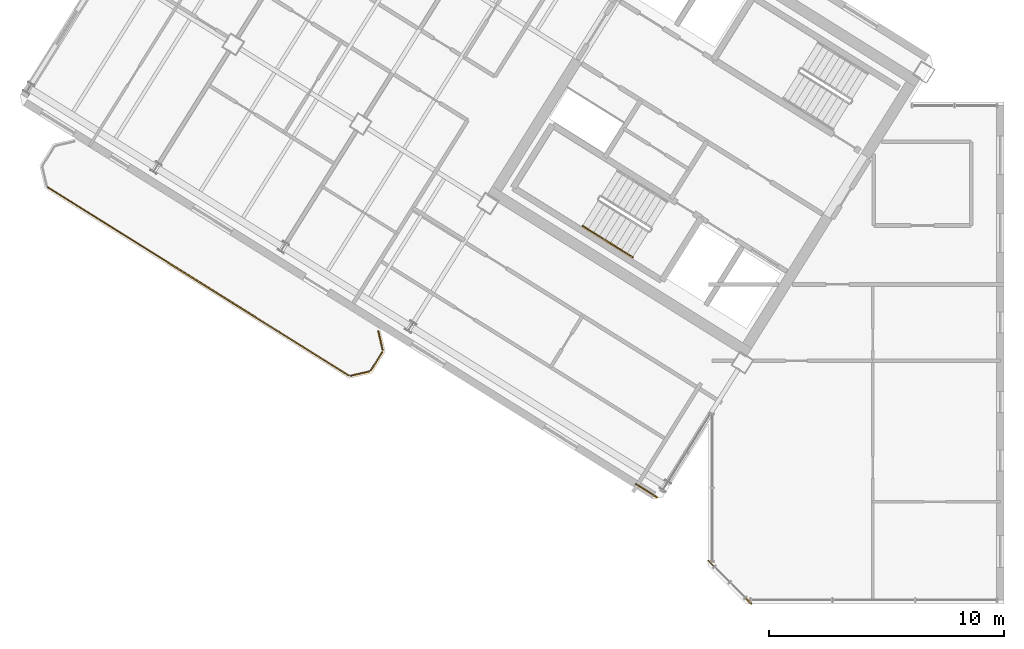
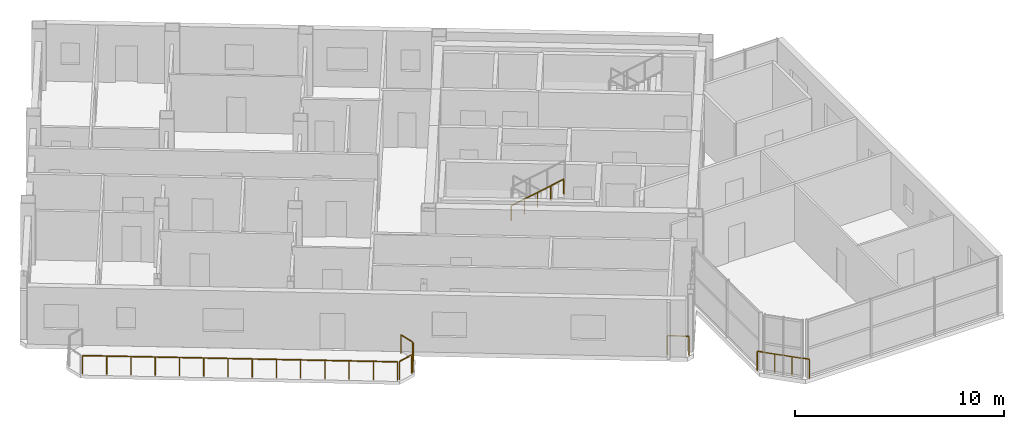
# One storey, part 12 of 14: 8 railings.
"""IFC4 building model written with IfcOpenShell, lengths in metres."""

from ifc_helpers import new_model, si_unit, direction, frame, origin, origin_2d, place, context, subcontext, project, spatial, rectangle, extrude, source, transform, mapped, material, type_object, element, save


model = new_model("IFC4")

# Units and contexts
model_context = context("Model", 3, precision=1e-05, world=origin(), true_north=direction((0.0, 1.0)))
body_context = subcontext(model_context, "Body", "Model", "MODEL_VIEW")
ifc_project = project(units=[si_unit("LENGTHUNIT", "METRE"), si_unit("AREAUNIT", "SQUARE_METRE"), si_unit("VOLUMEUNIT", "CUBIC_METRE"), si_unit("PLANEANGLEUNIT", "RADIAN"), si_unit("MASSUNIT", "GRAM", prefix="KILO")], contexts=[model_context])

# Site, building, storey
site_placement = place(None, origin())
site = spatial("IfcSite", under=ifc_project, at=site_placement, CompositionType="ELEMENT")
building_placement = place(site_placement, origin())
building = spatial("IfcBuilding", under=site, at=building_placement, Name="Tlacorven Tower", CompositionType="ELEMENT")
storey_placement = place(building_placement, frame((0.0, 0.0, 273.60009765625)))
storey = spatial("IfcBuildingStorey", under=building, at=storey_placement, Name="L69", CompositionType="ELEMENT", Elevation=273.60009765625)

# Railings
ifc_material = material(Name="Aluminium and painted steel balustrade", Category="steel")
railing_type_1 = type_object("IfcRailingType", Name="RL-BAL-1100", PredefinedType="BALUSTRADE", material=ifc_material)
shared_shape_1 = source(origin(), body_context, "Body", "SweptSolid", [
    extrude(rectangle(XDim=0.048095703125, YDim=0.048095703125, at=origin_2d()), frame((0.0, 0.0, 1.076171875), z_axis=(0.225058334816, -0.974345290916, 0.0), x_axis=(0.974345290916, 0.225058334816, 0.0)), (0.0, 0.0, 1.0), 0.80712890625),
    extrude(rectangle(XDim=0.0419921875, YDim=0.0419921875, at=origin_2d()), origin(), (0.0, 0.0, 1.0), 1.052001953125),
    extrude(rectangle(XDim=0.0419921875, YDim=0.0419921875, at=origin_2d()), frame((0.181640625, -0.786376953125, 0.0)), (0.0, 0.0, 1.0), 1.052001953125),
])
railing_1_placement = place(storey_placement, frame((17.5244140625, 13.413330078125, 0.0)))
element("IfcRailing", 1, at=railing_1_placement, inside=storey, type_object=railing_type_1, Name="BAL-L69-W-OUT Guard Railing 1", PredefinedType="BALUSTRADE", context=body_context, shape_type="MappedRepresentation", body=[
    mapped(shared_shape_1, transform((0.0, 0.0, 0.0), scale=1.0)),
])
shared_shape_2 = source(origin(), body_context, "Body", "SweptSolid", [
    extrude(rectangle(XDim=0.048095703125, YDim=0.048095703125, at=origin_2d()), frame((0.0, 0.0, 1.076171875), z_axis=(-0.52987865805, -0.848073468364, 0.0), x_axis=(0.848073468364, -0.52987865805, 0.0)), (0.0, 0.0, 1.0), 0.912353515625),
    extrude(rectangle(XDim=0.0419921875, YDim=0.0419921875, at=origin_2d()), origin(), (0.0, 0.0, 1.0), 1.052001953125),
    extrude(rectangle(XDim=0.0419921875, YDim=0.0419921875, at=origin_2d()), frame((-0.4833984375, -0.773681640625, 0.0)), (0.0, 0.0, 1.0), 1.052001953125),
])
railing_2_placement = place(storey_placement, frame((17.690673828125, 12.535888671875, 0.0)))
element("IfcRailing", 2, at=railing_2_placement, inside=storey, type_object=railing_type_1, Name="BAL-L69-W-OUT Guard Railing 2", PredefinedType="BALUSTRADE", context=body_context, shape_type="MappedRepresentation", body=[
    mapped(shared_shape_2, transform((0.0, 0.0, 0.0), scale=1.0)),
])
shared_shape_3 = source(origin(), body_context, "Body", "SweptSolid", [
    extrude(rectangle(XDim=0.048095703125, YDim=0.048095703125, at=origin_2d()), frame((0.0, 0.0, 1.076171875), z_axis=(-0.974411586182, -0.224771129628, 0.0), x_axis=(0.224771129628, -0.974411586182, 0.0)), (0.0, 0.0, 1.0), 0.80712890625),
    extrude(rectangle(XDim=0.0419921875, YDim=0.0419921875, at=origin_2d()), origin(), (0.0, 0.0, 1.0), 1.052001953125),
    extrude(rectangle(XDim=0.0419921875, YDim=0.0419921875, at=origin_2d()), frame((-0.786376953125, -0.181396484375, 0.0)), (0.0, 0.0, 1.0), 1.052001953125),
])
railing_3_placement = place(storey_placement, frame((17.132080078125, 11.70849609375, 0.0)))
element("IfcRailing", 3, at=railing_3_placement, inside=storey, type_object=railing_type_1, Name="BAL-L69-W-OUT Guard Railing 3", PredefinedType="BALUSTRADE", context=body_context, shape_type="MappedRepresentation", body=[
    mapped(shared_shape_3, transform((0.0, 0.0, 0.0), scale=1.0)),
])
shared_shape_4 = source(origin(), body_context, "Body", "SweptSolid", [
    extrude(rectangle(XDim=0.048095703125, YDim=0.048095703125, at=origin_2d()), frame((0.0, 0.0, 1.076171875), z_axis=(-0.848044572804, 0.529924902733, 0.0), x_axis=(-0.529924902733, -0.848044572804, 0.0)), (0.0, 0.0, 1.0), 15.1171875),
    extrude(rectangle(XDim=0.0419921875, YDim=0.0419921875, at=origin_2d()), origin(), (0.0, 0.0, 1.0), 1.052001953125),
    extrude(rectangle(XDim=0.0419921875, YDim=0.0419921875, at=origin_2d()), frame((-0.986083984375, 0.6162109375, 0.0)), (0.0, 0.0, 1.0), 1.052001953125),
    extrude(rectangle(XDim=0.0419921875, YDim=0.0419921875, at=origin_2d()), frame((-1.972412109375, 1.232421875, 0.0)), (0.0, 0.0, 1.0), 1.052001953125),
    extrude(rectangle(XDim=0.0419921875, YDim=0.0419921875, at=origin_2d()), frame((-2.95849609375, 1.8486328125, 0.0)), (0.0, 0.0, 1.0), 1.052001953125),
    extrude(rectangle(XDim=0.0419921875, YDim=0.0419921875, at=origin_2d()), frame((-3.944580078125, 2.46484375, 0.0)), (0.0, 0.0, 1.0), 1.052001953125),
    extrude(rectangle(XDim=0.0419921875, YDim=0.0419921875, at=origin_2d()), frame((-4.930908203125, 3.0810546875, 0.0)), (0.0, 0.0, 1.0), 1.052001953125),
    extrude(rectangle(XDim=0.0419921875, YDim=0.0419921875, at=origin_2d()), frame((-5.9169921875, 3.697265625, 0.0)), (0.0, 0.0, 1.0), 1.052001953125),
    extrude(rectangle(XDim=0.0419921875, YDim=0.0419921875, at=origin_2d()), frame((-6.903076171875, 4.313720703125, 0.0)), (0.0, 0.0, 1.0), 1.052001953125),
    extrude(rectangle(XDim=0.0419921875, YDim=0.0419921875, at=origin_2d()), frame((-7.88916015625, 4.929931640625, 0.0)), (0.0, 0.0, 1.0), 1.052001953125),
    extrude(rectangle(XDim=0.0419921875, YDim=0.0419921875, at=origin_2d()), frame((-8.87548828125, 5.546142578125, 0.0)), (0.0, 0.0, 1.0), 1.052001953125),
    extrude(rectangle(XDim=0.0419921875, YDim=0.0419921875, at=origin_2d()), frame((-9.861572265625, 6.162353515625, 0.0)), (0.0, 0.0, 1.0), 1.052001953125),
    extrude(rectangle(XDim=0.0419921875, YDim=0.0419921875, at=origin_2d()), frame((-10.84765625, 6.778564453125, 0.0)), (0.0, 0.0, 1.0), 1.052001953125),
    extrude(rectangle(XDim=0.0419921875, YDim=0.0419921875, at=origin_2d()), frame((-11.833984375, 7.394775390625, 0.0)), (0.0, 0.0, 1.0), 1.052001953125),
    extrude(rectangle(XDim=0.0419921875, YDim=0.0419921875, at=origin_2d()), frame((-12.820068359375, 8.010986328125, 0.0)), (0.0, 0.0, 1.0), 1.052001953125),
])
railing_4_placement = place(storey_placement, frame((16.254638671875, 11.542236328125, 0.0)))
element("IfcRailing", 4, at=railing_4_placement, inside=storey, type_object=railing_type_1, Name="BAL-L69-W-OUT Guard Railing 4", PredefinedType="BALUSTRADE", context=body_context, shape_type="MappedRepresentation", body=[
    mapped(shared_shape_4, transform((0.0, 0.0, 0.0), scale=1.0)),
])
railing_type_2 = type_object("IfcRailingType", Name="RL-GRD-1150", PredefinedType="GUARDRAIL", material=ifc_material)
shared_shape_5 = source(origin(), body_context, "Body", "SweptSolid", [
    extrude(rectangle(XDim=0.048095703125, YDim=0.048095703125, at=origin_2d()), frame((0.0, 0.0, 1.1259765625), z_axis=(-0.707106781187, 0.707106781187, 0.0), x_axis=(-0.707106781187, -0.707106781187, 0.0)), (0.0, 0.0, 1.0), 2.590087890625),
    extrude(rectangle(XDim=0.0419921875, YDim=0.0419921875, at=origin_2d()), origin(), (0.0, 0.0, 1.0), 1.101806640625),
    extrude(rectangle(XDim=0.0419921875, YDim=0.0419921875, at=origin_2d()), frame((-0.610595703125, 0.610595703125, 0.0)), (0.0, 0.0, 1.0), 1.101806640625),
    extrude(rectangle(XDim=0.0419921875, YDim=0.0419921875, at=origin_2d()), frame((-1.220947265625, 1.220947265625, 0.0)), (0.0, 0.0, 1.0), 1.101806640625),
    extrude(rectangle(XDim=0.0419921875, YDim=0.0419921875, at=origin_2d()), frame((-1.83154296875, 1.83154296875, 0.0)), (0.0, 0.0, 1.0), 1.101806640625),
])
railing_5_placement = place(storey_placement, frame((33.428955078125, 1.79736328125, 0.0)))
element("IfcRailing", 5, at=railing_5_placement, inside=storey, type_object=railing_type_2, Name="L69 Knuckle Glazed Sill Guard 1", PredefinedType="GUARDRAIL", context=body_context, shape_type="MappedRepresentation", body=[
    mapped(shared_shape_5, transform((0.0, 0.0, 0.0), scale=1.0)),
])
shared_shape_6 = source(origin(), body_context, "Body", "SweptSolid", [
    extrude(rectangle(XDim=0.048095703125, YDim=0.048095703125, at=origin_2d()), frame((0.0, 0.0, 1.1259765625), z_axis=(-0.848102774857, 0.529831749973, 0.0), x_axis=(-0.529831749973, -0.848102774857, 0.0)), (0.0, 0.0, 1.0), 1.050048828125),
    extrude(rectangle(XDim=0.0419921875, YDim=0.0419921875, at=origin_2d()), origin(), (0.0, 0.0, 1.0), 1.101806640625),
    extrude(rectangle(XDim=0.0419921875, YDim=0.0419921875, at=origin_2d()), frame((-0.890625, 0.556396484375, 0.0)), (0.0, 0.0, 1.0), 1.101806640625),
])
railing_6_placement = place(storey_placement, frame((29.39501953125, 6.35009765625, 0.0)))
element("IfcRailing", 6, at=railing_6_placement, inside=storey, type_object=railing_type_2, Name="L69 Knuckle Glazed Sill Guard 2", PredefinedType="GUARDRAIL", context=body_context, shape_type="MappedRepresentation", body=[
    mapped(shared_shape_6, transform((0.0, 0.0, 0.0), scale=1.0)),
])
railing_type_3 = type_object("IfcRailingType", Name="RL-HND-0900", PredefinedType="HANDRAIL", material=ifc_material)
shared_shape_7 = source(origin(), body_context, "Body", "SweptSolid", [
    extrude(rectangle(XDim=0.048095703125, YDim=0.048095703125, at=origin_2d()), frame((0.0, 0.0, 0.8759765625), z_axis=(0.713279695859, -0.445799809912, 0.540827703579), x_axis=(0.529998940003, 0.847998304005, 0.0)), (0.0, 0.0, 1.0), 1.497802734375),
    extrude(rectangle(XDim=0.0419921875, YDim=0.0419921875, at=origin_2d()), origin(), (0.0, 0.0, 1.0), 0.851806640625),
    extrude(rectangle(XDim=0.0419921875, YDim=0.0419921875, at=origin_2d()), frame((0.5341796875, -0.333984375, 0.405029296875)), (0.0, 0.0, 1.0), 0.851806640625),
    extrude(rectangle(XDim=0.0419921875, YDim=0.0419921875, at=origin_2d()), frame((1.068359375, -0.667724609375, 0.81005859375)), (0.0, 0.0, 1.0), 0.851806640625),
])
railing_7_placement = place(storey_placement, frame((27.29736328125, 17.24755859375, 2.789794921875)))
element("IfcRailing", 7, at=railing_7_placement, inside=storey, type_object=railing_type_3, Name="L69 ST-W1 stair handrail 4", PredefinedType="HANDRAIL", context=body_context, shape_type="MappedRepresentation", body=[
    mapped(shared_shape_7, transform((0.0, 0.0, 0.0), scale=1.0)),
])
shared_shape_8 = source(origin(), body_context, "Body", "SweptSolid", [
    extrude(rectangle(XDim=0.048095703125, YDim=0.048095703125, at=origin_2d()), frame((0.0, 0.0, 0.8759765625), z_axis=(0.713422621445, -0.445787267455, 0.540649494022), x_axis=(0.529911857636, 0.848052724267, 0.0)), (0.0, 0.0, 1.0), 1.497802734375),
    extrude(rectangle(XDim=0.0419921875, YDim=0.0419921875, at=origin_2d()), origin(), (0.0, 0.0, 1.0), 0.851806640625),
    extrude(rectangle(XDim=0.0419921875, YDim=0.0419921875, at=origin_2d()), frame((0.5341796875, -0.333984375, 0.40478515625)), (0.0, 0.0, 1.0), 0.851806640625),
    extrude(rectangle(XDim=0.0419921875, YDim=0.0419921875, at=origin_2d()), frame((1.068603515625, -0.667724609375, 0.809814453125)), (0.0, 0.0, 1.0), 0.851806640625),
])
railing_8_placement = place(storey_placement, frame((26.228759765625, 17.915283203125, 1.97998046875)))
element("IfcRailing", 8, at=railing_8_placement, inside=storey, type_object=railing_type_3, Name="L69 ST-W1 stair handrail 3", PredefinedType="HANDRAIL", context=body_context, shape_type="MappedRepresentation", body=[
    mapped(shared_shape_8, transform((0.0, 0.0, 0.0), scale=1.0)),
])

save(model, "model.ifc")
